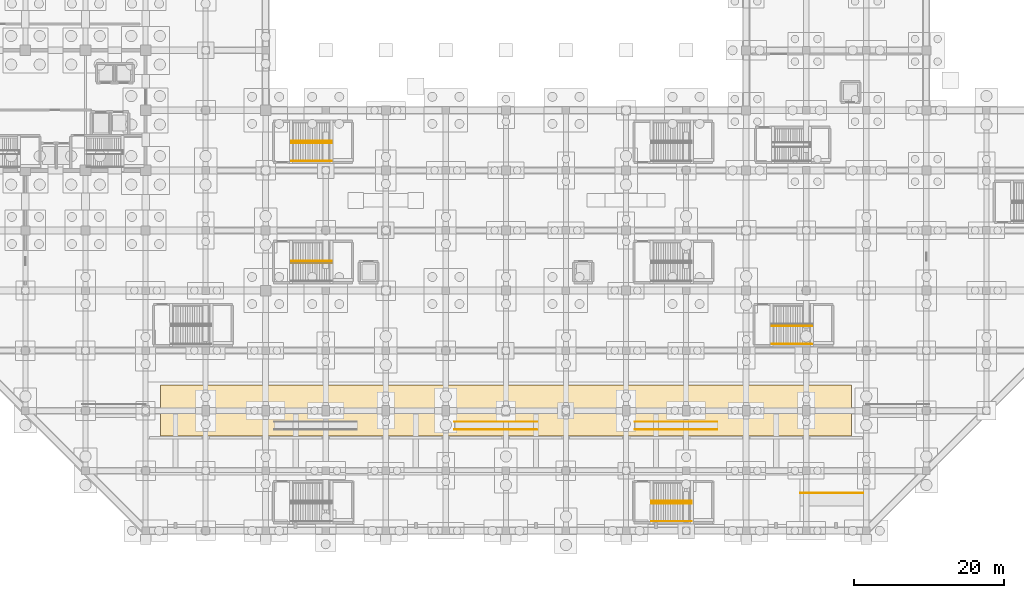
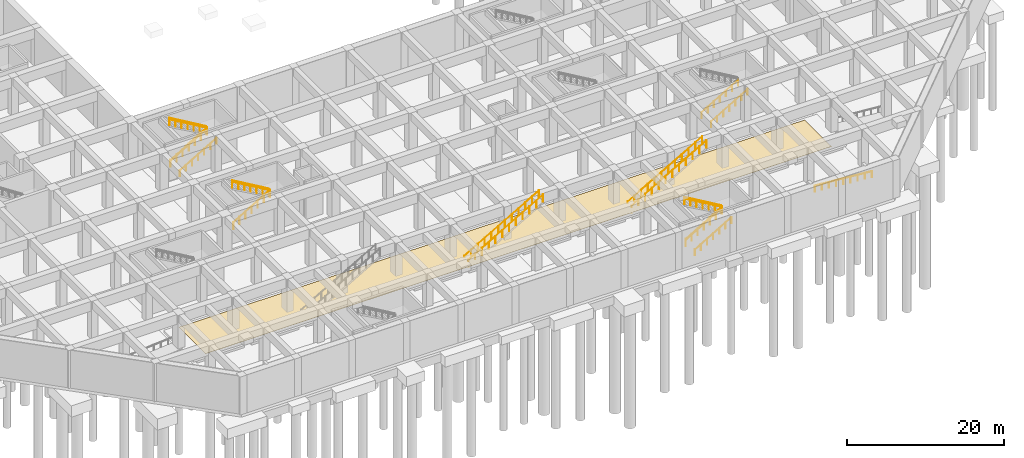
# One storey, part 23 of 26: 20 railings, 1 covering.
"""IFC4 building model written with IfcOpenShell, lengths in metres."""

from ifc_helpers import new_model, si_unit, direction, frame, origin, origin_2d, place, context, subcontext, project, spatial, polyline, circle, outline, extrude, material, layer, layer_set, type_object, element, save


model = new_model("IFC4")

# Units and contexts
model_context = context("Model", 3, precision=1e-05, world=origin(), true_north=direction((0.0, 1.0)))
body_context = subcontext(model_context, "Body", "Model", "MODEL_VIEW")
ifc_project = project(units=[si_unit("LENGTHUNIT", "METRE"), si_unit("AREAUNIT", "SQUARE_METRE"), si_unit("VOLUMEUNIT", "CUBIC_METRE"), si_unit("PLANEANGLEUNIT", "RADIAN"), si_unit("MASSUNIT", "GRAM", prefix="KILO")], contexts=[model_context])

# Site, building, storey
site_placement = place(None, origin())
site = spatial("IfcSite", under=ifc_project, at=site_placement, CompositionType="ELEMENT")
building_placement = place(site_placement, origin())
building = spatial("IfcBuilding", under=site, at=building_placement, Name="Varnela Railside Interchange", CompositionType="ELEMENT")
storey_placement = place(building_placement, frame((0.0, 0.0, -12.60009765625)))
storey = spatial("IfcBuildingStorey", under=building, at=storey_placement, Name="B2", CompositionType="ELEMENT", Elevation=-12.60009765625)

# Railings
ifc_material_1 = material(Name="Glass laminated double", Category="glass")
railing_type_1 = type_object("IfcRailingType", Name="Concourse Atrium Balustrade BL-01", PredefinedType="BALUSTRADE", material=ifc_material_1)
railing_1_placement = place(storey_placement, frame((77.14990234375, 19.47998046875, 0.0)))
element("IfcRailing", 1, at=railing_1_placement, inside=storey, type_object=railing_type_1, Name="Escalator Inclined Balustrade ES2-S (RL-0032)", PredefinedType="BALUSTRADE", context=body_context, shape_type="SweptSolid", body=[
    extrude(circle(Radius=0.02392578125, at=origin_2d()), frame((0.0, 0.0, 1.09619140625), z_axis=(0.867173461285, 0.0, 0.498006212856), x_axis=(0.0, 1.0, 0.0)), (0.0, 0.0, 1.0), 12.650634765625),
    extrude(circle(Radius=0.02099609375, at=origin_2d()), origin(), (0.0, 0.0, 1.0), 1.072021484375),
    extrude(circle(Radius=0.02099609375, at=origin_2d()), frame((0.997314453125, 0.0, 0.57275390625)), (0.0, 0.0, 1.0), 1.072021484375),
    extrude(circle(Radius=0.02099609375, at=origin_2d()), frame((1.99462890625, 0.0, 1.1455078125)), (0.0, 0.0, 1.0), 1.072021484375),
    extrude(circle(Radius=0.02099609375, at=origin_2d()), frame((2.991943359375, 0.0, 1.71826171875)), (0.0, 0.0, 1.0), 1.072021484375),
    extrude(circle(Radius=0.02099609375, at=origin_2d()), frame((3.9892578125, 0.0, 2.291015625)), (0.0, 0.0, 1.0), 1.072021484375),
    extrude(circle(Radius=0.02099609375, at=origin_2d()), frame((4.986572265625, 0.0, 2.86376953125)), (0.0, 0.0, 1.0), 1.072021484375),
    extrude(circle(Radius=0.02099609375, at=origin_2d()), frame((5.983642578125, 0.0, 3.436279296875)), (0.0, 0.0, 1.0), 1.072021484375),
    extrude(circle(Radius=0.02099609375, at=origin_2d()), frame((6.98095703125, 0.0, 4.009033203125)), (0.0, 0.0, 1.0), 1.072021484375),
    extrude(circle(Radius=0.02099609375, at=origin_2d()), frame((7.978271484375, 0.0, 4.581787109375)), (0.0, 0.0, 1.0), 1.072021484375),
    extrude(circle(Radius=0.02099609375, at=origin_2d()), frame((8.9755859375, 0.0, 5.154541015625)), (0.0, 0.0, 1.0), 1.072021484375),
    extrude(circle(Radius=0.02099609375, at=origin_2d()), frame((9.972900390625, 0.0, 5.727294921875)), (0.0, 0.0, 1.0), 1.072021484375),
    extrude(circle(Radius=0.02099609375, at=origin_2d()), frame((10.97021484375, 0.0, 6.300048828125)), (0.0, 0.0, 1.0), 1.072021484375),
])
railing_2_placement = place(storey_placement, frame((77.14990234375, 20.52001953125, 0.0)))
element("IfcRailing", 2, at=railing_2_placement, inside=storey, type_object=railing_type_1, Name="Escalator Inclined Balustrade ES2-N (RL-0031)", PredefinedType="BALUSTRADE", context=body_context, shape_type="SweptSolid", body=[
    extrude(circle(Radius=0.02392578125, at=origin_2d()), frame((0.0, 0.0, 1.09619140625), z_axis=(0.867173461285, 0.0, 0.498006212856), x_axis=(0.0, 1.0, 0.0)), (0.0, 0.0, 1.0), 12.650634765625),
    extrude(circle(Radius=0.02099609375, at=origin_2d()), origin(), (0.0, 0.0, 1.0), 1.072021484375),
    extrude(circle(Radius=0.02099609375, at=origin_2d()), frame((0.997314453125, 0.0, 0.57275390625)), (0.0, 0.0, 1.0), 1.072021484375),
    extrude(circle(Radius=0.02099609375, at=origin_2d()), frame((1.99462890625, 0.0, 1.1455078125)), (0.0, 0.0, 1.0), 1.072021484375),
    extrude(circle(Radius=0.02099609375, at=origin_2d()), frame((2.991943359375, 0.0, 1.71826171875)), (0.0, 0.0, 1.0), 1.072021484375),
    extrude(circle(Radius=0.02099609375, at=origin_2d()), frame((3.9892578125, 0.0, 2.291015625)), (0.0, 0.0, 1.0), 1.072021484375),
    extrude(circle(Radius=0.02099609375, at=origin_2d()), frame((4.986572265625, 0.0, 2.86376953125)), (0.0, 0.0, 1.0), 1.072021484375),
    extrude(circle(Radius=0.02099609375, at=origin_2d()), frame((5.983642578125, 0.0, 3.436279296875)), (0.0, 0.0, 1.0), 1.072021484375),
    extrude(circle(Radius=0.02099609375, at=origin_2d()), frame((6.98095703125, 0.0, 4.009033203125)), (0.0, 0.0, 1.0), 1.072021484375),
    extrude(circle(Radius=0.02099609375, at=origin_2d()), frame((7.978271484375, 0.0, 4.581787109375)), (0.0, 0.0, 1.0), 1.072021484375),
    extrude(circle(Radius=0.02099609375, at=origin_2d()), frame((8.9755859375, 0.0, 5.154541015625)), (0.0, 0.0, 1.0), 1.072021484375),
    extrude(circle(Radius=0.02099609375, at=origin_2d()), frame((9.972900390625, 0.0, 5.727294921875)), (0.0, 0.0, 1.0), 1.072021484375),
    extrude(circle(Radius=0.02099609375, at=origin_2d()), frame((10.97021484375, 0.0, 6.300048828125)), (0.0, 0.0, 1.0), 1.072021484375),
])
railing_3_placement = place(storey_placement, frame((101.14990234375, 19.47998046875, 0.0)))
element("IfcRailing", 3, at=railing_3_placement, inside=storey, type_object=railing_type_1, Name="Escalator Inclined Balustrade ES3-S (RL-0034)", PredefinedType="BALUSTRADE", context=body_context, shape_type="SweptSolid", body=[
    extrude(circle(Radius=0.02392578125, at=origin_2d()), frame((0.0, 0.0, 1.09619140625), z_axis=(0.867173461285, 0.0, 0.498006212856), x_axis=(0.0, 1.0, 0.0)), (0.0, 0.0, 1.0), 12.650634765625),
    extrude(circle(Radius=0.02099609375, at=origin_2d()), origin(), (0.0, 0.0, 1.0), 1.072021484375),
    extrude(circle(Radius=0.02099609375, at=origin_2d()), frame((0.997314453125, 0.0, 0.57275390625)), (0.0, 0.0, 1.0), 1.072021484375),
    extrude(circle(Radius=0.02099609375, at=origin_2d()), frame((1.99462890625, 0.0, 1.1455078125)), (0.0, 0.0, 1.0), 1.072021484375),
    extrude(circle(Radius=0.02099609375, at=origin_2d()), frame((2.991943359375, 0.0, 1.71826171875)), (0.0, 0.0, 1.0), 1.072021484375),
    extrude(circle(Radius=0.02099609375, at=origin_2d()), frame((3.9892578125, 0.0, 2.291015625)), (0.0, 0.0, 1.0), 1.072021484375),
    extrude(circle(Radius=0.02099609375, at=origin_2d()), frame((4.986572265625, 0.0, 2.86376953125)), (0.0, 0.0, 1.0), 1.072021484375),
    extrude(circle(Radius=0.02099609375, at=origin_2d()), frame((5.983642578125, 0.0, 3.436279296875)), (0.0, 0.0, 1.0), 1.072021484375),
    extrude(circle(Radius=0.02099609375, at=origin_2d()), frame((6.98095703125, 0.0, 4.009033203125)), (0.0, 0.0, 1.0), 1.072021484375),
    extrude(circle(Radius=0.02099609375, at=origin_2d()), frame((7.978271484375, 0.0, 4.581787109375)), (0.0, 0.0, 1.0), 1.072021484375),
    extrude(circle(Radius=0.02099609375, at=origin_2d()), frame((8.9755859375, 0.0, 5.154541015625)), (0.0, 0.0, 1.0), 1.072021484375),
    extrude(circle(Radius=0.02099609375, at=origin_2d()), frame((9.972900390625, 0.0, 5.727294921875)), (0.0, 0.0, 1.0), 1.072021484375),
    extrude(circle(Radius=0.02099609375, at=origin_2d()), frame((10.97021484375, 0.0, 6.300048828125)), (0.0, 0.0, 1.0), 1.072021484375),
])
railing_4_placement = place(storey_placement, frame((101.14990234375, 20.52001953125, 0.0)))
element("IfcRailing", 4, at=railing_4_placement, inside=storey, type_object=railing_type_1, Name="Escalator Inclined Balustrade ES3-N (RL-0033)", PredefinedType="BALUSTRADE", context=body_context, shape_type="SweptSolid", body=[
    extrude(circle(Radius=0.02392578125, at=origin_2d()), frame((0.0, 0.0, 1.09619140625), z_axis=(0.867173461285, 0.0, 0.498006212856), x_axis=(0.0, 1.0, 0.0)), (0.0, 0.0, 1.0), 12.650634765625),
    extrude(circle(Radius=0.02099609375, at=origin_2d()), origin(), (0.0, 0.0, 1.0), 1.072021484375),
    extrude(circle(Radius=0.02099609375, at=origin_2d()), frame((0.997314453125, 0.0, 0.57275390625)), (0.0, 0.0, 1.0), 1.072021484375),
    extrude(circle(Radius=0.02099609375, at=origin_2d()), frame((1.99462890625, 0.0, 1.1455078125)), (0.0, 0.0, 1.0), 1.072021484375),
    extrude(circle(Radius=0.02099609375, at=origin_2d()), frame((2.991943359375, 0.0, 1.71826171875)), (0.0, 0.0, 1.0), 1.072021484375),
    extrude(circle(Radius=0.02099609375, at=origin_2d()), frame((3.9892578125, 0.0, 2.291015625)), (0.0, 0.0, 1.0), 1.072021484375),
    extrude(circle(Radius=0.02099609375, at=origin_2d()), frame((4.986572265625, 0.0, 2.86376953125)), (0.0, 0.0, 1.0), 1.072021484375),
    extrude(circle(Radius=0.02099609375, at=origin_2d()), frame((5.983642578125, 0.0, 3.436279296875)), (0.0, 0.0, 1.0), 1.072021484375),
    extrude(circle(Radius=0.02099609375, at=origin_2d()), frame((6.98095703125, 0.0, 4.009033203125)), (0.0, 0.0, 1.0), 1.072021484375),
    extrude(circle(Radius=0.02099609375, at=origin_2d()), frame((7.978271484375, 0.0, 4.581787109375)), (0.0, 0.0, 1.0), 1.072021484375),
    extrude(circle(Radius=0.02099609375, at=origin_2d()), frame((8.9755859375, 0.0, 5.154541015625)), (0.0, 0.0, 1.0), 1.072021484375),
    extrude(circle(Radius=0.02099609375, at=origin_2d()), frame((9.972900390625, 0.0, 5.727294921875)), (0.0, 0.0, 1.0), 1.072021484375),
    extrude(circle(Radius=0.02099609375, at=origin_2d()), frame((10.97021484375, 0.0, 6.300048828125)), (0.0, 0.0, 1.0), 1.072021484375),
])

# Covering
ifc_material_2 = material(Name="Concrete C40 precast", Category="concrete")
ifc_layer = layer(ifc_material_2, 0.034912109375)
ifc_layer_set = layer_set([ifc_layer], Name="Concrete C40 precast")
covering_type = type_object("IfcCoveringType", Name="Heavy-Duty Granite Terrazzo Flooring CV-FLR", PredefinedType="FLOORING", material=ifc_layer_set)
covering_placement = place(storey_placement, frame((0.0, 0.0, 0.7001953125)))
element("IfcCovering", 5, at=covering_placement, inside=storey, type_object=covering_type, Name="Heavy-Duty Granite Terrazzo Flooring CV-FLR", PredefinedType="FLOORING", context=body_context, shape_type="SweptSolid", body=[
    extrude(outline(polyline([(38.0, 18.60009765625), (130.0, 18.60009765625), (130.0, 25.39990234375), (38.0, 25.39990234375), (38.0, 18.60009765625)])), origin(), (0.0, 0.0, 1.0), 0.034912109375),
])

# Railings
ifc_material_3 = material(Name="Steel AR 350 (350 MPa)", Category="steel")
railing_type_2 = type_object("IfcRailingType", Name="Stair & Ramp Pitch Handrail HR-01", PredefinedType="HANDRAIL", material=ifc_material_3)
railing_5_placement = place(storey_placement, frame((60.7548828125, 41.949951171875, 3.150146484375)))
element("IfcRailing", 6, at=railing_5_placement, inside=storey, type_object=railing_type_2, Name="Stair Handrail ST-C1 Flight 2 (RL-0036)", PredefinedType="HANDRAIL", context=body_context, shape_type="SweptSolid", body=[
    extrude(circle(Radius=0.02392578125, at=origin_2d()), frame((0.0, 0.0, 0.89599609375), z_axis=(-0.861940276329, 0.0, 0.507009822431), x_axis=(0.0, -1.0, 0.0)), (0.0, 0.0, 1.0), 6.212646484375),
    extrude(circle(Radius=0.02099609375, at=origin_2d()), origin(), (0.0, 0.0, 1.0), 0.871826171875),
    extrude(circle(Radius=0.02099609375, at=origin_2d()), frame((-0.892578125, 0.0, 0.52490234375)), (0.0, 0.0, 1.0), 0.871826171875),
    extrude(circle(Radius=0.02099609375, at=origin_2d()), frame((-1.784912109375, 0.0, 1.050048828125)), (0.0, 0.0, 1.0), 0.871826171875),
    extrude(circle(Radius=0.02099609375, at=origin_2d()), frame((-2.677490234375, 0.0, 1.574951171875)), (0.0, 0.0, 1.0), 0.871826171875),
    extrude(circle(Radius=0.02099609375, at=origin_2d()), frame((-3.570068359375, 0.0, 2.099853515625)), (0.0, 0.0, 1.0), 0.871826171875),
    extrude(circle(Radius=0.02099609375, at=origin_2d()), frame((-4.46240234375, 0.0, 2.625)), (0.0, 0.0, 1.0), 0.871826171875),
    extrude(circle(Radius=0.02099609375, at=origin_2d()), frame((-5.35498046875, 0.0, 3.14990234375)), (0.0, 0.0, 1.0), 0.871826171875),
])
railing_6_placement = place(storey_placement, frame((55.39990234375, 57.64990234375, 0.0)))
element("IfcRailing", 7, at=railing_6_placement, inside=storey, type_object=railing_type_2, Name="Stair Handrail ST-C3 Flight 1 (RL-0039)", PredefinedType="HANDRAIL", context=body_context, shape_type="SweptSolid", body=[
    extrude(circle(Radius=0.02392578125, at=origin_2d()), frame((0.0, 0.0, 0.89599609375), z_axis=(0.861923102912, 0.0, 0.507039016908), x_axis=(0.0, 1.0, 0.0)), (0.0, 0.0, 1.0), 6.212890625),
    extrude(circle(Radius=0.02099609375, at=origin_2d()), origin(), (0.0, 0.0, 1.0), 0.871826171875),
    extrude(circle(Radius=0.02099609375, at=origin_2d()), frame((0.892578125, 0.0, 0.52490234375)), (0.0, 0.0, 1.0), 0.871826171875),
    extrude(circle(Radius=0.02099609375, at=origin_2d()), frame((1.784912109375, 0.0, 1.050048828125)), (0.0, 0.0, 1.0), 0.871826171875),
    extrude(circle(Radius=0.02099609375, at=origin_2d()), frame((2.677490234375, 0.0, 1.5751953125)), (0.0, 0.0, 1.0), 0.871826171875),
    extrude(circle(Radius=0.02099609375, at=origin_2d()), frame((3.570068359375, 0.0, 2.10009765625)), (0.0, 0.0, 1.0), 0.871826171875),
    extrude(circle(Radius=0.02099609375, at=origin_2d()), frame((4.46240234375, 0.0, 2.625)), (0.0, 0.0, 1.0), 0.871826171875),
    extrude(circle(Radius=0.02099609375, at=origin_2d()), frame((5.35498046875, 0.0, 3.150146484375)), (0.0, 0.0, 1.0), 0.871826171875),
])
railing_7_placement = place(storey_placement, frame((60.7548828125, 57.949951171875, 3.150146484375)))
element("IfcRailing", 8, at=railing_7_placement, inside=storey, type_object=railing_type_2, Name="Stair Handrail ST-C3 Flight 2 (RL-0040)", PredefinedType="HANDRAIL", context=body_context, shape_type="SweptSolid", body=[
    extrude(circle(Radius=0.02392578125, at=origin_2d()), frame((0.0, 0.0, 0.89599609375), z_axis=(-0.861940276329, 0.0, 0.507009822431), x_axis=(0.0, -1.0, 0.0)), (0.0, 0.0, 1.0), 6.212646484375),
    extrude(circle(Radius=0.02099609375, at=origin_2d()), origin(), (0.0, 0.0, 1.0), 0.871826171875),
    extrude(circle(Radius=0.02099609375, at=origin_2d()), frame((-0.892578125, 0.0, 0.52490234375)), (0.0, 0.0, 1.0), 0.871826171875),
    extrude(circle(Radius=0.02099609375, at=origin_2d()), frame((-1.784912109375, 0.0, 1.050048828125)), (0.0, 0.0, 1.0), 0.871826171875),
    extrude(circle(Radius=0.02099609375, at=origin_2d()), frame((-2.677490234375, 0.0, 1.574951171875)), (0.0, 0.0, 1.0), 0.871826171875),
    extrude(circle(Radius=0.02099609375, at=origin_2d()), frame((-3.570068359375, 0.0, 2.099853515625)), (0.0, 0.0, 1.0), 0.871826171875),
    extrude(circle(Radius=0.02099609375, at=origin_2d()), frame((-4.46240234375, 0.0, 2.625)), (0.0, 0.0, 1.0), 0.871826171875),
    extrude(circle(Radius=0.02099609375, at=origin_2d()), frame((-5.35498046875, 0.0, 3.14990234375)), (0.0, 0.0, 1.0), 0.871826171875),
])
for number, where, name in (
    (9, (119.39990234375, 33.25, 0.0), "Stair Handrail ST-M2 Flight 1 (RL-0051)"),
    (10, (103.39990234375, 9.64990234375, 0.0), "Stair Handrail ST-M4 Flight 1 (RL-0055)"),
):
    element("IfcRailing", number, at=place(storey_placement, frame(where)), inside=storey, type_object=railing_type_2, Name=name, PredefinedType="HANDRAIL", context=body_context, shape_type="SweptSolid", body=[
        extrude(circle(Radius=0.02392578125, at=origin_2d()), frame((0.0, 0.0, 0.89599609375), z_axis=(0.861923102912, 0.0, 0.507039016908), x_axis=(0.0, 1.0, 0.0)), (0.0, 0.0, 1.0), 6.212890625),
        extrude(circle(Radius=0.02099609375, at=origin_2d()), origin(), (0.0, 0.0, 1.0), 0.871826171875),
        extrude(circle(Radius=0.02099609375, at=origin_2d()), frame((0.892578125, 0.0, 0.52490234375)), (0.0, 0.0, 1.0), 0.871826171875),
        extrude(circle(Radius=0.02099609375, at=origin_2d()), frame((1.784912109375, 0.0, 1.050048828125)), (0.0, 0.0, 1.0), 0.871826171875),
        extrude(circle(Radius=0.02099609375, at=origin_2d()), frame((2.677490234375, 0.0, 1.5751953125)), (0.0, 0.0, 1.0), 0.871826171875),
        extrude(circle(Radius=0.02099609375, at=origin_2d()), frame((3.570068359375, 0.0, 2.10009765625)), (0.0, 0.0, 1.0), 0.871826171875),
        extrude(circle(Radius=0.02099609375, at=origin_2d()), frame((4.46240234375, 0.0, 2.625)), (0.0, 0.0, 1.0), 0.871826171875),
        extrude(circle(Radius=0.02099609375, at=origin_2d()), frame((5.35498046875, 0.0, 3.150146484375)), (0.0, 0.0, 1.0), 0.871826171875),
    ])
railing_8_placement = place(storey_placement, frame((108.7548828125, 9.949951171875, 3.150146484375)))
element("IfcRailing", 11, at=railing_8_placement, inside=storey, type_object=railing_type_2, Name="Stair Handrail ST-M4 Flight 2 (RL-0056)", PredefinedType="HANDRAIL", context=body_context, shape_type="SweptSolid", body=[
    extrude(circle(Radius=0.02392578125, at=origin_2d()), frame((0.0, 0.0, 0.89599609375), z_axis=(-0.861940276329, 0.0, 0.507009822431), x_axis=(0.0, -1.0, 0.0)), (0.0, 0.0, 1.0), 6.212646484375),
    extrude(circle(Radius=0.02099609375, at=origin_2d()), origin(), (0.0, 0.0, 1.0), 0.871826171875),
    extrude(circle(Radius=0.02099609375, at=origin_2d()), frame((-0.892578125, 0.0, 0.52490234375)), (0.0, 0.0, 1.0), 0.871826171875),
    extrude(circle(Radius=0.02099609375, at=origin_2d()), frame((-1.784912109375, 0.0, 1.050048828125)), (0.0, 0.0, 1.0), 0.871826171875),
    extrude(circle(Radius=0.02099609375, at=origin_2d()), frame((-2.677490234375, 0.0, 1.574951171875)), (0.0, 0.0, 1.0), 0.871826171875),
    extrude(circle(Radius=0.02099609375, at=origin_2d()), frame((-3.570068359375, 0.0, 2.099853515625)), (0.0, 0.0, 1.0), 0.871826171875),
    extrude(circle(Radius=0.02099609375, at=origin_2d()), frame((-4.46240234375, 0.0, 2.625)), (0.0, 0.0, 1.0), 0.871826171875),
    extrude(circle(Radius=0.02099609375, at=origin_2d()), frame((-5.35498046875, 0.0, 3.14990234375)), (0.0, 0.0, 1.0), 0.871826171875),
])
railing_9_placement = place(storey_placement, frame((131.60009765625, 11.050048828125, 0.0)))
element("IfcRailing", 12, at=railing_9_placement, inside=storey, type_object=railing_type_2, Name="Metro Platform Ramp Handrail pltS-W (RL-0065)", PredefinedType="HANDRAIL", context=body_context, shape_type="SweptSolid", body=[
    extrude(circle(Radius=0.02392578125, at=origin_2d()), frame((0.0, 0.0, 0.89599609375), z_axis=(-0.996543960283, 0.0, 0.083067052579), x_axis=(0.0, -1.0, 0.0)), (0.0, 0.0, 1.0), 8.42919921875),
    extrude(circle(Radius=0.02099609375, at=origin_2d()), origin(), (0.0, 0.0, 1.0), 0.871826171875),
    extrude(circle(Radius=0.02099609375, at=origin_2d()), frame((-1.050048828125, 0.0, 0.08740234375)), (0.0, 0.0, 1.0), 0.871826171875),
    extrude(circle(Radius=0.02099609375, at=origin_2d()), frame((-2.10009765625, 0.0, 0.175048828125)), (0.0, 0.0, 1.0), 0.871826171875),
    extrude(circle(Radius=0.02099609375, at=origin_2d()), frame((-3.150146484375, 0.0, 0.2626953125)), (0.0, 0.0, 1.0), 0.871826171875),
    extrude(circle(Radius=0.02099609375, at=origin_2d()), frame((-4.2001953125, 0.0, 0.35009765625)), (0.0, 0.0, 1.0), 0.871826171875),
    extrude(circle(Radius=0.02099609375, at=origin_2d()), frame((-5.25, 0.0, 0.4375)), (0.0, 0.0, 1.0), 0.871826171875),
    extrude(circle(Radius=0.02099609375, at=origin_2d()), frame((-6.300048828125, 0.0, 0.525146484375)), (0.0, 0.0, 1.0), 0.871826171875),
    extrude(circle(Radius=0.02099609375, at=origin_2d()), frame((-7.35009765625, 0.0, 0.61279296875)), (0.0, 0.0, 1.0), 0.871826171875),
    extrude(circle(Radius=0.02099609375, at=origin_2d()), frame((-8.400146484375, 0.0, 0.7001953125)), (0.0, 0.0, 1.0), 0.871826171875),
])
railing_type_3 = type_object("IfcRailingType", Name="Stair Well & Landing Guard GR-02", PredefinedType="GUARDRAIL", material=ifc_material_3)
railing_10_placement = place(storey_placement, frame((55.39990234375, 41.64990234375, 0.0)))
element("IfcRailing", 13, at=railing_10_placement, inside=storey, type_object=railing_type_3, Name="Stair Guard ST-C1 Half-Landing (RL-0001)", PredefinedType="GUARDRAIL", context=body_context, shape_type="SweptSolid", body=[
    extrude(circle(Radius=0.02392578125, at=origin_2d()), frame((0.0, 0.0, 1.09619140625), z_axis=(0.861923102912, 0.0, 0.507039016908), x_axis=(0.0, 1.0, 0.0)), (0.0, 0.0, 1.0), 6.212890625),
    extrude(circle(Radius=0.02392578125, at=origin_2d()), frame((5.35498046875, 0.0, 4.24609375), z_axis=(0.0, 1.0, 0.0), x_axis=(-1.0, 0.0, 0.0)), (0.0, 0.0, 1.0), 0.300048828125),
    extrude(circle(Radius=0.02099609375, at=origin_2d()), origin(), (0.0, 0.0, 1.0), 1.072021484375),
    extrude(circle(Radius=0.02099609375, at=origin_2d()), frame((0.892578125, 0.0, 0.52490234375)), (0.0, 0.0, 1.0), 1.072021484375),
    extrude(circle(Radius=0.02099609375, at=origin_2d()), frame((1.784912109375, 0.0, 1.050048828125)), (0.0, 0.0, 1.0), 1.072021484375),
    extrude(circle(Radius=0.02099609375, at=origin_2d()), frame((2.677490234375, 0.0, 1.5751953125)), (0.0, 0.0, 1.0), 1.072021484375),
    extrude(circle(Radius=0.02099609375, at=origin_2d()), frame((3.570068359375, 0.0, 2.10009765625)), (0.0, 0.0, 1.0), 1.072021484375),
    extrude(circle(Radius=0.02099609375, at=origin_2d()), frame((4.46240234375, 0.0, 2.625)), (0.0, 0.0, 1.0), 1.072021484375),
    extrude(circle(Radius=0.02099609375, at=origin_2d()), frame((5.35498046875, 0.0, 3.150146484375)), (0.0, 0.0, 1.0), 1.072021484375),
    extrude(circle(Radius=0.02099609375, at=origin_2d()), frame((5.35498046875, 0.300048828125, 3.150146484375)), (0.0, 0.0, 1.0), 1.072021484375),
])
railing_11_placement = place(storey_placement, frame((60.7548828125, 41.949951171875, 3.150146484375)))
element("IfcRailing", 14, at=railing_11_placement, inside=storey, type_object=railing_type_3, Name="Stair Guard ST-C1 Upper Flight (RL-0002)", PredefinedType="GUARDRAIL", context=body_context, shape_type="SweptSolid", body=[
    extrude(circle(Radius=0.02392578125, at=origin_2d()), frame((0.0, 0.0, 1.09619140625), z_axis=(-0.861940276329, 0.0, 0.507009822431), x_axis=(0.0, -1.0, 0.0)), (0.0, 0.0, 1.0), 6.212646484375),
    extrude(circle(Radius=0.02099609375, at=origin_2d()), origin(), (0.0, 0.0, 1.0), 1.072021484375),
    extrude(circle(Radius=0.02099609375, at=origin_2d()), frame((-0.892578125, 0.0, 0.52490234375)), (0.0, 0.0, 1.0), 1.072021484375),
    extrude(circle(Radius=0.02099609375, at=origin_2d()), frame((-1.784912109375, 0.0, 1.050048828125)), (0.0, 0.0, 1.0), 1.072021484375),
    extrude(circle(Radius=0.02099609375, at=origin_2d()), frame((-2.677490234375, 0.0, 1.574951171875)), (0.0, 0.0, 1.0), 1.072021484375),
    extrude(circle(Radius=0.02099609375, at=origin_2d()), frame((-3.570068359375, 0.0, 2.099853515625)), (0.0, 0.0, 1.0), 1.072021484375),
    extrude(circle(Radius=0.02099609375, at=origin_2d()), frame((-4.46240234375, 0.0, 2.625)), (0.0, 0.0, 1.0), 1.072021484375),
    extrude(circle(Radius=0.02099609375, at=origin_2d()), frame((-5.35498046875, 0.0, 3.14990234375)), (0.0, 0.0, 1.0), 1.072021484375),
])
railing_12_placement = place(storey_placement, frame((55.39990234375, 57.64990234375, 0.0)))
element("IfcRailing", 15, at=railing_12_placement, inside=storey, type_object=railing_type_3, Name="Stair Guard ST-C3 Half-Landing (RL-0005)", PredefinedType="GUARDRAIL", context=body_context, shape_type="SweptSolid", body=[
    extrude(circle(Radius=0.02392578125, at=origin_2d()), frame((0.0, 0.0, 1.09619140625), z_axis=(0.861923102912, 0.0, 0.507039016908), x_axis=(0.0, 1.0, 0.0)), (0.0, 0.0, 1.0), 6.212890625),
    extrude(circle(Radius=0.02392578125, at=origin_2d()), frame((5.35498046875, 0.0, 4.24609375), z_axis=(0.0, 1.0, 0.0), x_axis=(-1.0, 0.0, 0.0)), (0.0, 0.0, 1.0), 0.300048828125),
    extrude(circle(Radius=0.02099609375, at=origin_2d()), origin(), (0.0, 0.0, 1.0), 1.072021484375),
    extrude(circle(Radius=0.02099609375, at=origin_2d()), frame((0.892578125, 0.0, 0.52490234375)), (0.0, 0.0, 1.0), 1.072021484375),
    extrude(circle(Radius=0.02099609375, at=origin_2d()), frame((1.784912109375, 0.0, 1.050048828125)), (0.0, 0.0, 1.0), 1.072021484375),
    extrude(circle(Radius=0.02099609375, at=origin_2d()), frame((2.677490234375, 0.0, 1.5751953125)), (0.0, 0.0, 1.0), 1.072021484375),
    extrude(circle(Radius=0.02099609375, at=origin_2d()), frame((3.570068359375, 0.0, 2.10009765625)), (0.0, 0.0, 1.0), 1.072021484375),
    extrude(circle(Radius=0.02099609375, at=origin_2d()), frame((4.46240234375, 0.0, 2.625)), (0.0, 0.0, 1.0), 1.072021484375),
    extrude(circle(Radius=0.02099609375, at=origin_2d()), frame((5.35498046875, 0.0, 3.150146484375)), (0.0, 0.0, 1.0), 1.072021484375),
    extrude(circle(Radius=0.02099609375, at=origin_2d()), frame((5.35498046875, 0.300048828125, 3.150146484375)), (0.0, 0.0, 1.0), 1.072021484375),
])
railing_13_placement = place(storey_placement, frame((60.7548828125, 57.949951171875, 3.150146484375)))
element("IfcRailing", 16, at=railing_13_placement, inside=storey, type_object=railing_type_3, Name="Stair Guard ST-C3 Upper Flight (RL-0006)", PredefinedType="GUARDRAIL", context=body_context, shape_type="SweptSolid", body=[
    extrude(circle(Radius=0.02392578125, at=origin_2d()), frame((0.0, 0.0, 1.09619140625), z_axis=(-0.861940276329, 0.0, 0.507009822431), x_axis=(0.0, -1.0, 0.0)), (0.0, 0.0, 1.0), 6.212646484375),
    extrude(circle(Radius=0.02099609375, at=origin_2d()), origin(), (0.0, 0.0, 1.0), 1.072021484375),
    extrude(circle(Radius=0.02099609375, at=origin_2d()), frame((-0.892578125, 0.0, 0.52490234375)), (0.0, 0.0, 1.0), 1.072021484375),
    extrude(circle(Radius=0.02099609375, at=origin_2d()), frame((-1.784912109375, 0.0, 1.050048828125)), (0.0, 0.0, 1.0), 1.072021484375),
    extrude(circle(Radius=0.02099609375, at=origin_2d()), frame((-2.677490234375, 0.0, 1.574951171875)), (0.0, 0.0, 1.0), 1.072021484375),
    extrude(circle(Radius=0.02099609375, at=origin_2d()), frame((-3.570068359375, 0.0, 2.099853515625)), (0.0, 0.0, 1.0), 1.072021484375),
    extrude(circle(Radius=0.02099609375, at=origin_2d()), frame((-4.46240234375, 0.0, 2.625)), (0.0, 0.0, 1.0), 1.072021484375),
    extrude(circle(Radius=0.02099609375, at=origin_2d()), frame((-5.35498046875, 0.0, 3.14990234375)), (0.0, 0.0, 1.0), 1.072021484375),
])
railing_14_placement = place(storey_placement, frame((103.39990234375, 9.64990234375, 0.0)))
element("IfcRailing", 17, at=railing_14_placement, inside=storey, type_object=railing_type_3, Name="Stair Guard ST-M4 Half-Landing (RL-0021)", PredefinedType="GUARDRAIL", context=body_context, shape_type="SweptSolid", body=[
    extrude(circle(Radius=0.02392578125, at=origin_2d()), frame((0.0, 0.0, 1.09619140625), z_axis=(0.861923102912, 0.0, 0.507039016908), x_axis=(0.0, 1.0, 0.0)), (0.0, 0.0, 1.0), 6.212890625),
    extrude(circle(Radius=0.02392578125, at=origin_2d()), frame((5.35498046875, 0.0, 4.24609375), z_axis=(0.0, 1.0, 0.0), x_axis=(-1.0, 0.0, 0.0)), (0.0, 0.0, 1.0), 0.300048828125),
    extrude(circle(Radius=0.02099609375, at=origin_2d()), origin(), (0.0, 0.0, 1.0), 1.072021484375),
    extrude(circle(Radius=0.02099609375, at=origin_2d()), frame((0.892578125, 0.0, 0.52490234375)), (0.0, 0.0, 1.0), 1.072021484375),
    extrude(circle(Radius=0.02099609375, at=origin_2d()), frame((1.784912109375, 0.0, 1.050048828125)), (0.0, 0.0, 1.0), 1.072021484375),
    extrude(circle(Radius=0.02099609375, at=origin_2d()), frame((2.677490234375, 0.0, 1.5751953125)), (0.0, 0.0, 1.0), 1.072021484375),
    extrude(circle(Radius=0.02099609375, at=origin_2d()), frame((3.570068359375, 0.0, 2.10009765625)), (0.0, 0.0, 1.0), 1.072021484375),
    extrude(circle(Radius=0.02099609375, at=origin_2d()), frame((4.46240234375, 0.0, 2.625)), (0.0, 0.0, 1.0), 1.072021484375),
    extrude(circle(Radius=0.02099609375, at=origin_2d()), frame((5.35498046875, 0.0, 3.150146484375)), (0.0, 0.0, 1.0), 1.072021484375),
    extrude(circle(Radius=0.02099609375, at=origin_2d()), frame((5.35498046875, 0.300048828125, 3.150146484375)), (0.0, 0.0, 1.0), 1.072021484375),
])
railing_15_placement = place(storey_placement, frame((108.7548828125, 9.949951171875, 3.150146484375)))
element("IfcRailing", 18, at=railing_15_placement, inside=storey, type_object=railing_type_3, Name="Stair Guard ST-M4 Upper Flight (RL-0022)", PredefinedType="GUARDRAIL", context=body_context, shape_type="SweptSolid", body=[
    extrude(circle(Radius=0.02392578125, at=origin_2d()), frame((0.0, 0.0, 1.09619140625), z_axis=(-0.861940276329, 0.0, 0.507009822431), x_axis=(0.0, -1.0, 0.0)), (0.0, 0.0, 1.0), 6.212646484375),
    extrude(circle(Radius=0.02099609375, at=origin_2d()), origin(), (0.0, 0.0, 1.0), 1.072021484375),
    extrude(circle(Radius=0.02099609375, at=origin_2d()), frame((-0.892578125, 0.0, 0.52490234375)), (0.0, 0.0, 1.0), 1.072021484375),
    extrude(circle(Radius=0.02099609375, at=origin_2d()), frame((-1.784912109375, 0.0, 1.050048828125)), (0.0, 0.0, 1.0), 1.072021484375),
    extrude(circle(Radius=0.02099609375, at=origin_2d()), frame((-2.677490234375, 0.0, 1.574951171875)), (0.0, 0.0, 1.0), 1.072021484375),
    extrude(circle(Radius=0.02099609375, at=origin_2d()), frame((-3.570068359375, 0.0, 2.099853515625)), (0.0, 0.0, 1.0), 1.072021484375),
    extrude(circle(Radius=0.02099609375, at=origin_2d()), frame((-4.46240234375, 0.0, 2.625)), (0.0, 0.0, 1.0), 1.072021484375),
    extrude(circle(Radius=0.02099609375, at=origin_2d()), frame((-5.35498046875, 0.0, 3.14990234375)), (0.0, 0.0, 1.0), 1.072021484375),
])
railing_type_4 = type_object("IfcRailingType", Name="Wall-Mounted Stair Handrail HR-02", PredefinedType="HANDRAIL", material=ifc_material_3)
for number, where, name in (
    (19, (55.39990234375, 55.260009765625, 0.0), "Wall Handrail ST-C3 Flight 1 (RL-0068)"),
    (20, (119.39990234375, 30.860107421875, 0.0), "Wall Handrail ST-M2 Flight 1 (RL-0074)"),
    (21, (103.39990234375, 7.260009765625, 0.0), "Wall Handrail ST-M4 Flight 1 (RL-0076)"),
):
    element("IfcRailing", number, at=place(storey_placement, frame(where)), inside=storey, type_object=railing_type_4, Name=name, PredefinedType="HANDRAIL", context=body_context, shape_type="SweptSolid", body=[
        extrude(circle(Radius=0.02392578125, at=origin_2d()), frame((0.0, 0.0, 0.89599609375), z_axis=(0.861923102912, 0.0, 0.507039016908), x_axis=(0.0, 1.0, 0.0)), (0.0, 0.0, 1.0), 6.212890625),
        extrude(circle(Radius=0.02099609375, at=origin_2d()), origin(), (0.0, 0.0, 1.0), 0.871826171875),
        extrude(circle(Radius=0.02099609375, at=origin_2d()), frame((0.892578125, 0.0, 0.52490234375)), (0.0, 0.0, 1.0), 0.871826171875),
        extrude(circle(Radius=0.02099609375, at=origin_2d()), frame((1.784912109375, 0.0, 1.050048828125)), (0.0, 0.0, 1.0), 0.871826171875),
        extrude(circle(Radius=0.02099609375, at=origin_2d()), frame((2.677490234375, 0.0, 1.5751953125)), (0.0, 0.0, 1.0), 0.871826171875),
        extrude(circle(Radius=0.02099609375, at=origin_2d()), frame((3.570068359375, 0.0, 2.10009765625)), (0.0, 0.0, 1.0), 0.871826171875),
        extrude(circle(Radius=0.02099609375, at=origin_2d()), frame((4.46240234375, 0.0, 2.625)), (0.0, 0.0, 1.0), 0.871826171875),
        extrude(circle(Radius=0.02099609375, at=origin_2d()), frame((5.35498046875, 0.0, 3.150146484375)), (0.0, 0.0, 1.0), 0.871826171875),
    ])

save(model, "model.ifc")
